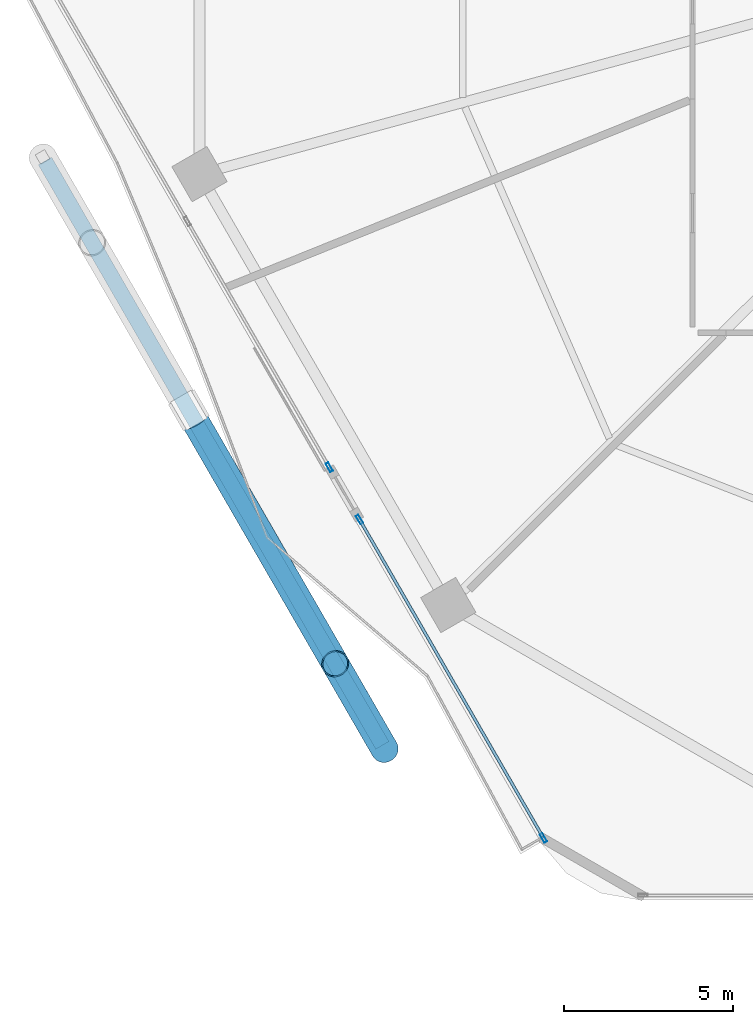
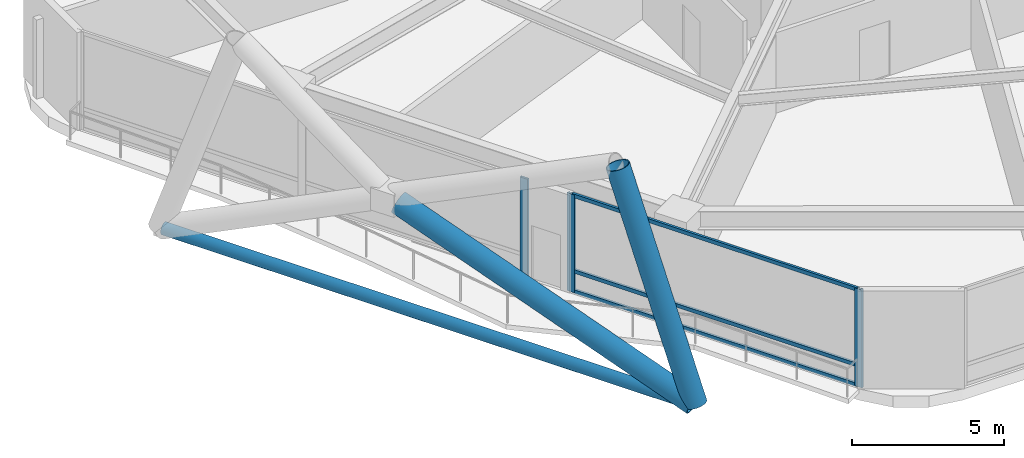
# One storey, part 2 of 31: 9 members, 2 elements without a shape of their own.
"""IFC4 building model written with IfcOpenShell, lengths in metres."""

from ifc_helpers import new_model, si_unit, direction, frame, origin, origin_2d, place, context, subcontext, project, spatial, hollow_rectangle, hollow_circle, extrude, material, material_profile, profile_set, type_object, element, aggregate, save


model = new_model("IFC4")

# Units and contexts
model_context = context("Model", 3, precision=1e-05, world=origin(), true_north=direction((0.0, 1.0)))
body_context = subcontext(model_context, "Body", "Model", "MODEL_VIEW")
ifc_project = project(units=[si_unit("LENGTHUNIT", "METRE"), si_unit("AREAUNIT", "SQUARE_METRE"), si_unit("VOLUMEUNIT", "CUBIC_METRE"), si_unit("PLANEANGLEUNIT", "RADIAN"), si_unit("MASSUNIT", "GRAM", prefix="KILO")], contexts=[model_context])

# Site, building, storey
site_placement = place(None, origin())
site = spatial("IfcSite", under=ifc_project, at=site_placement, CompositionType="ELEMENT")
building_placement = place(site_placement, origin())
building = spatial("IfcBuilding", under=site, at=building_placement, Name="Zuhravey Tower", CompositionType="ELEMENT")
storey_placement = place(building_placement, frame((0.0, 0.0, 7.800048828125)))
storey = spatial("IfcBuildingStorey", under=building, at=storey_placement, Name="L02", CompositionType="ELEMENT", Elevation=7.800048828125)

# Curtain wall, members
ifc_material_1 = material(Name="Thermally broken anodised aluminium", Category="aluminium")
curtain_wall_type = type_object("IfcCurtainWallType", Name="School Low-E Unitised Curtain Wall CW1", PredefinedType="NOTDEFINED", material=ifc_material_1)
curtain_wall_1_placement = place(storey_placement, origin())
curtain_wall_1 = element("IfcCurtainWall", 1, at=curtain_wall_1_placement, inside=storey, type_object=curtain_wall_type, Name="L02 CW1 CW-L02-F4-1", PredefinedType="NOTDEFINED")
ifc_material_2 = material(Name="Anodised aluminium", Category="aluminium")
ifc_material_profile_1 = material_profile(ifc_material_2, hollow_rectangle(XDim=0.090087890625, YDim=0.284912109375, WallThickness=0.0048828125, at=origin_2d()), Name="ALU-RHS-90x285x5")
ifc_profile_set_1 = profile_set([ifc_material_profile_1], Name="Anodised aluminium")
member_type_1 = type_object("IfcMemberType", Name="Curtain-Wall Mullion 90x180", PredefinedType="MULLION", material=ifc_profile_set_1)
member_1_placement = place(storey_placement, frame((18.298583984375, 4.742919921875, 0.0), z_axis=(0.0, 0.0, 1.0), x_axis=(-0.866026545681, -0.499998022171, 0.0)))
member_1 = element("IfcMember", 2, at=member_1_placement, type_object=member_type_1, Name="CW1 mullion 1", PredefinedType="MULLION", context=body_context, shape_type="SweptSolid", body=[
    extrude(hollow_rectangle(XDim=0.090087890625, YDim=0.284912109375, WallThickness=0.0048828125, at=origin_2d()), origin(), (0.0, 0.0, 1.0), 3.919921875),
])
member_2_placement = place(storey_placement, frame((12.8515625, 14.17724609375, 0.0), z_axis=(0.0, 0.0, 1.0), x_axis=(-0.866026545681, -0.499998022171, 0.0)))
member_2 = element("IfcMember", 3, at=member_2_placement, type_object=member_type_1, Name="CW1 mullion 2", PredefinedType="MULLION", context=body_context, shape_type="SweptSolid", body=[
    extrude(hollow_rectangle(XDim=0.090087890625, YDim=0.284912109375, WallThickness=0.0048828125, at=origin_2d()), origin(), (0.0, 0.0, 1.0), 3.919921875),
])

# Curtain wall, member
curtain_wall_2_placement = place(storey_placement, origin())
curtain_wall_2 = element("IfcCurtainWall", 4, at=curtain_wall_2_placement, inside=storey, type_object=curtain_wall_type, Name="L02 CW1 CW-L02-F4-2", PredefinedType="NOTDEFINED")
member_3_placement = place(storey_placement, frame((11.95654296875, 15.7275390625, 0.0), z_axis=(0.0, 0.0, 1.0), x_axis=(-0.866025508574, -0.499999818499, 0.0)))
member_3 = element("IfcMember", 5, at=member_3_placement, type_object=member_type_1, Name="CW1 mullion 1", PredefinedType="MULLION", context=body_context, shape_type="SweptSolid", body=[
    extrude(hollow_rectangle(XDim=0.090087890625, YDim=0.284912109375, WallThickness=0.0048828125, at=origin_2d()), origin(), (0.0, 0.0, 1.0), 3.919921875),
])
aggregate(curtain_wall_2, [member_3])

# Member
ifc_material_profile_2 = material_profile(ifc_material_2, hollow_rectangle(XDim=0.090087890625, YDim=0.14990234375, WallThickness=0.0048828125, at=origin_2d()), Name="ALU-RHS-90x150x5")
ifc_profile_set_2 = profile_set([ifc_material_profile_2], Name="Anodised aluminium")
member_type_2 = type_object("IfcMemberType", Name="Curtain-Wall Transom 90x150", PredefinedType="USERDEFINED", material=ifc_profile_set_2)
member_4_placement = place(storey_placement, frame((18.27587890625, 4.781982421875, 0.044921875), z_axis=(-0.499993700073, 0.866029041019, 0.0), x_axis=(-0.866029041019, -0.499993700073, 0.0)))
member_4 = element("IfcMember", 6, at=member_4_placement, type_object=member_type_2, Name="CW1 transom 1.1", ObjectType="TRANSOM", PredefinedType="USERDEFINED", context=body_context, shape_type="SweptSolid", body=[
    extrude(hollow_rectangle(XDim=0.090087890625, YDim=0.14990234375, WallThickness=0.0048828125, at=origin_2d()), origin(), (0.0, 0.0, 1.0), 10.803955078125),
])

member_5_placement = place(storey_placement, frame((18.27587890625, 4.781982421875, 0.849853515625), z_axis=(-0.499993700073, 0.866029041019, 0.0), x_axis=(-0.866029041019, -0.499993700073, 0.0)))
member_5 = element("IfcMember", 7, at=member_5_placement, type_object=member_type_2, Name="CW1 transom 1.2", ObjectType="TRANSOM", PredefinedType="USERDEFINED", context=body_context, shape_type="SweptSolid", body=[
    extrude(hollow_rectangle(XDim=0.090087890625, YDim=0.14990234375, WallThickness=0.0048828125, at=origin_2d()), origin(), (0.0, 0.0, 1.0), 10.803955078125),
])

member_6_placement = place(storey_placement, frame((18.27587890625, 4.781982421875, 3.875), z_axis=(-0.499993700073, 0.866029041019, 0.0), x_axis=(-0.866029041019, -0.499993700073, 0.0)))
member_6 = element("IfcMember", 8, at=member_6_placement, type_object=member_type_2, Name="CW1 transom 1.3", ObjectType="TRANSOM", PredefinedType="USERDEFINED", context=body_context, shape_type="SweptSolid", body=[
    extrude(hollow_rectangle(XDim=0.090087890625, YDim=0.14990234375, WallThickness=0.0048828125, at=origin_2d()), origin(), (0.0, 0.0, 1.0), 10.803955078125),
])

aggregate(curtain_wall_1, [member_1, member_2, member_4, member_5, member_6])

# Members
ifc_material_3 = material(Name="Steel SM355", Category="steel")
ifc_material_profile_3 = material_profile(ifc_material_3, hollow_circle(Radius=0.228515625, WallThickness=0.02197265625, at=origin_2d()), Name="CHS-457.2x22")
ifc_profile_set_3 = profile_set([ifc_material_profile_3], Name="Steel SM355")
member_type_3 = type_object("IfcMemberType", Name="Exoskeleton Ring Tie CHS457x22", PredefinedType="CHORD", material=ifc_profile_set_3)
member_7_placement = place(storey_placement, frame((3.53271484375, 24.79833984375, -0.6640625), z_axis=(0.499987058157, -0.866032875632, 0.0), x_axis=(0.866032875632, 0.499987058157, 0.0)))
element("IfcMember", 9, at=member_7_placement, inside=storey, type_object=member_type_3, Name="L02 Exoskeleton Face 4 Tie EXR1", PredefinedType="CHORD", context=body_context, shape_type="SweptSolid", body=[
    extrude(hollow_circle(Radius=0.228515625, WallThickness=0.02197265625, at=origin_2d()), origin(), (0.0, 0.0, 1.0), 19.99365234375),
])
ifc_material_4 = material(Name="Steel SM460", Category="steel")
ifc_material_profile_4 = material_profile(ifc_material_4, hollow_circle(Radius=0.406494140625, WallThickness=0.035888671875, at=origin_2d()), Name="CHS-812.8x36")
ifc_profile_set_4 = profile_set([ifc_material_profile_4], Name="Steel SM460")
member_type_4 = type_object("IfcMemberType", Name="Exoskeleton Zone 1 Diagrid CHS813x36", PredefinedType="BRACE", material=ifc_profile_set_4)
member_8_placement = place(storey_placement, frame((13.595703125, 7.36865234375, -0.64208984375), z_axis=(-0.162411926746, 0.281248600844, 0.945791515385), x_axis=(-0.865981440664, -0.500076138629, 0.0)))
element("IfcMember", 10, at=member_8_placement, inside=storey, type_object=member_type_4, Name="L02 Face 4 Diagrid Brace 4", PredefinedType="BRACE", context=body_context, shape_type="SweptSolid", body=[
    extrude(hollow_circle(Radius=0.406494140625, WallThickness=0.035888671875, at=origin_2d()), origin(), (0.0, 0.0, 1.0), 9.014892578125),
])
member_9_placement = place(storey_placement, frame((13.576171875, 7.40234375, -0.64697265625), z_axis=(-0.469065796357, 0.81243743312, 0.346298564758), x_axis=(-0.866023176389, -0.500003857942, 0.0)))
element("IfcMember", 11, at=member_9_placement, inside=storey, type_object=member_type_4, Name="L02 Face 4 Split Diagrid Brace 3A", PredefinedType="BRACE", context=body_context, shape_type="SweptSolid", body=[
    extrude(hollow_circle(Radius=0.406494140625, WallThickness=0.035888671875, at=origin_2d()), origin(), (0.0, 0.0, 1.0), 11.927978515625),
])

save(model, "model.ifc")
